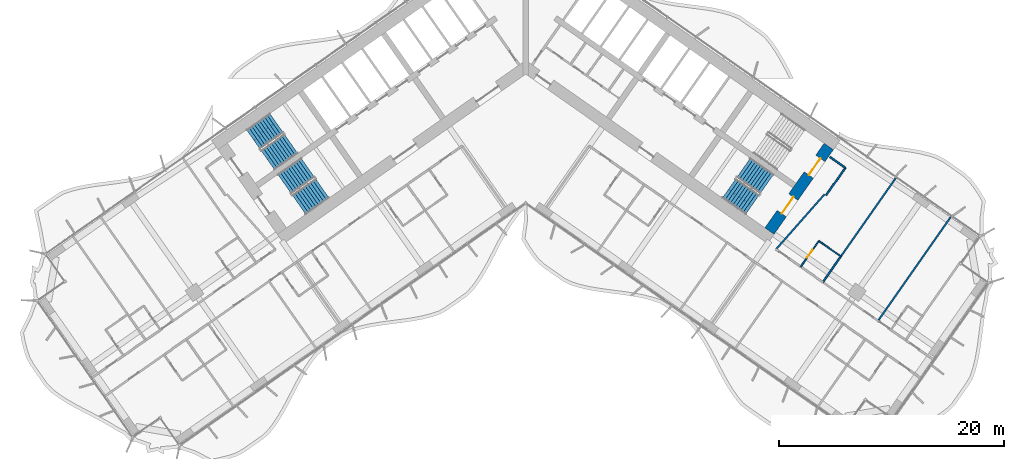
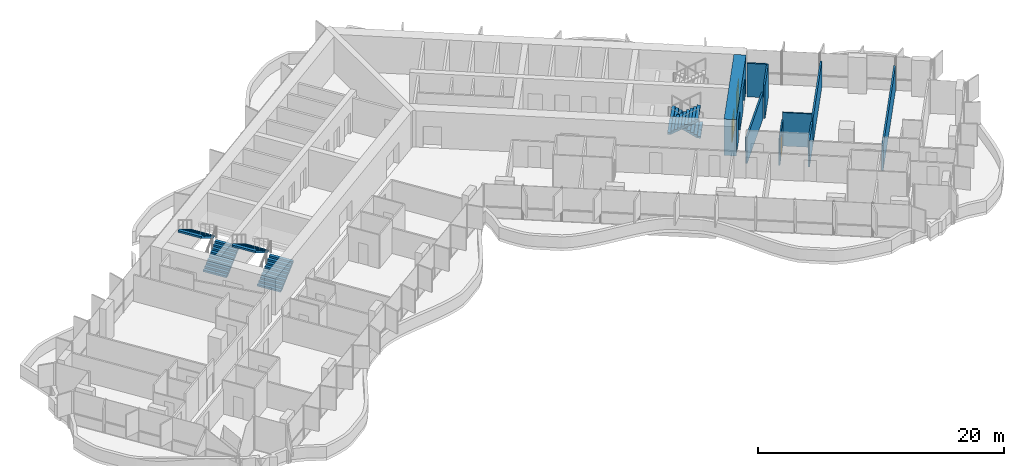
# One storey, part 16 of 23: 9 walls, 6 stair flights, 3 doors, 3 openings, 3 elements without a shape of their own.
"""IFC4 building model written with IfcOpenShell, lengths in metres."""

from ifc_helpers import new_model, si_unit, direction, frame, frame_2d, origin, place, context, subcontext, project, spatial, polyline, rectangle, outline, extrude, material, layer, layer_set, type_object, element, fill, aggregate, save


model = new_model("IFC4")

# Units and contexts
model_context = context("Model", 3, precision=1e-05, world=origin(), true_north=direction((0.0, 1.0)))
body_context = subcontext(model_context, "Body", "Model", "MODEL_VIEW")
ifc_project = project(units=[si_unit("LENGTHUNIT", "METRE"), si_unit("AREAUNIT", "SQUARE_METRE"), si_unit("VOLUMEUNIT", "CUBIC_METRE"), si_unit("PLANEANGLEUNIT", "RADIAN"), si_unit("MASSUNIT", "GRAM", prefix="KILO")], contexts=[model_context])

# Site, building, storey
site_placement = place(None, origin())
site = spatial("IfcSite", under=ifc_project, at=site_placement, CompositionType="ELEMENT")
building_placement = place(site_placement, origin())
building = spatial("IfcBuilding", under=site, at=building_placement, Name="Tel Ilan Convention Tower", CompositionType="ELEMENT")
storey_placement = place(building_placement, frame((0.0, 0.0, 83.300048828125)))
storey = spatial("IfcBuildingStorey", under=building, at=storey_placement, Name="L16", CompositionType="ELEMENT", Elevation=83.300048828125)

# Wall, openings, doors
ifc_material_1 = material(Name="Concrete C60/75", Category="concrete")
ifc_layer_1 = layer(ifc_material_1, 1.0)
ifc_layer_set_1 = layer_set([ifc_layer_1], Name="Core Shear Wall 1000 mm C60/75")
wall_type_1 = type_object("IfcWallType", Name="Core Shear Wall 1000 mm C60/75", PredefinedType="SHEAR", material=ifc_layer_set_1)
wall_1_placement = place(storey_placement, frame((21.70751953125, -15.19970703125, 0.0), z_axis=(0.0, 0.0, 1.0), x_axis=(0.573576324356, 0.819152122709, 0.0)))
wall_1 = element("IfcWall", 1, at=wall_1_placement, inside=storey, type_object=wall_type_1, Name="L16 core wall E-end", PredefinedType="SHEAR", context=body_context, shape_type="SweptSolid", body=[
    extrude(outline(polyline([(9.199951171875, 0.5), (0.0, 0.5), (0.0, -0.5), (9.199951171875, -0.5), (9.199951171875, 0.5)])), origin(), (0.0, 0.0, 1.0), 3.599853515625),
])
opening_1_placement = place(wall_1_placement, frame((6.10009765625, 0.0, 0.0)))
opening_1 = element("IfcOpeningElement", 2, at=opening_1_placement, cuts=wall_1, Name="Opening SD1503", PredefinedType="OPENING", context=body_context, shape_type="SweptSolid", body=[
    extrude(rectangle(XDim=1.800048828125, YDim=2.10009765625, at=frame_2d((0.89990234375, 1.050048828125))), frame((0.0, 0.510009765625, 0.0), z_axis=(0.0, -1.0, 0.0), x_axis=(1.0, 0.0, 0.0)), (0.0, 0.0, 1.0), 1.02001953125),
])
opening_2_placement = place(wall_1_placement, frame((1.89990234375, 0.0, 0.0)))
opening_2 = element("IfcOpeningElement", 3, at=opening_2_placement, cuts=wall_1, Name="Opening SD1504", PredefinedType="OPENING", context=body_context, shape_type="SweptSolid", body=[
    extrude(rectangle(XDim=1.800048828125, YDim=2.10009765625, at=frame_2d((0.89990234375, 1.050048828125))), frame((0.0, 0.510009765625, 0.0), z_axis=(0.0, -1.0, 0.0), x_axis=(1.0, 0.0, 0.0)), (0.0, 0.0, 1.0), 1.02001953125),
])
ifc_material_2 = material(Name="Galvanised Steel Door Leaf", Category="steel")
door_type_1 = type_object("IfcDoorType", Name="Stair Fire Door 1800 x 2100 FD60S", OperationType="NOTDEFINED", PredefinedType="DOOR", material=ifc_material_2)
door_1_placement = place(opening_1_placement, origin())
door_1 = element("IfcDoor", 4, at=door_1_placement, inside=storey, type_object=door_type_1, Name="Stair S3 door", OperationType="DOUBLE_DOOR_SINGLE_SWING", OverallHeight=2.10009765625, OverallWidth=1.800048828125, PredefinedType="DOOR", context=body_context, shape_type="SweptSolid", body=[
    extrude(rectangle(XDim=1.800048828125, YDim=2.10009765625, at=frame_2d((0.89990234375, 1.050048828125))), frame((0.0, 0.02490234375, 0.0), z_axis=(0.0, -1.0, 0.0), x_axis=(1.0, 0.0, 0.0)), (0.0, 0.0, 1.0), 0.050048828125),
])
fill(opening_1, door_1)
door_2_placement = place(opening_2_placement, origin())
door_2 = element("IfcDoor", 5, at=door_2_placement, inside=storey, type_object=door_type_1, Name="Stair S4 door", OperationType="DOUBLE_DOOR_SINGLE_SWING", OverallHeight=2.10009765625, OverallWidth=1.800048828125, PredefinedType="DOOR", context=body_context, shape_type="SweptSolid", body=[
    extrude(rectangle(XDim=1.800048828125, YDim=2.10009765625, at=frame_2d((0.89990234375, 1.050048828125))), frame((0.0, 0.02490234375, 0.0), z_axis=(0.0, -1.0, 0.0), x_axis=(1.0, 0.0, 0.0)), (0.0, 0.0, 1.0), 0.050048828125),
])
fill(opening_2, door_2)

# Walls
ifc_material_3 = material(Name="Plasterboard on Steel Studs", Category="steel")
ifc_layer_2 = layer(ifc_material_3, 0.14990234375)
ifc_layer_set_2 = layer_set([ifc_layer_2], Name="Fire-rated Partition 150 EI 60")
wall_type_2 = type_object("IfcWallType", Name="Fire-rated Partition 150 EI 60", PredefinedType="PARTITIONING", material=ifc_layer_set_2)
wall_2_placement = place(storey_placement, frame((32.93994140625, -10.49072265625, 0.0), z_axis=(0.0, 0.0, 1.0), x_axis=(-0.573593433868, -0.819140142237, 0.0)))
element("IfcWall", 6, at=wall_2_placement, inside=storey, type_object=wall_type_2, Name="Partition 038", PredefinedType="PARTITIONING", context=body_context, shape_type="SweptSolid", body=[
    extrude(rectangle(XDim=8.4990234375, YDim=0.14990234375, at=frame_2d((4.24951171875, 0.0))), origin(), (0.0, 0.0, 1.0), 2.599853515625),
])
wall_3_placement = place(storey_placement, frame((22.285400390625, -16.8251953125, 0.0), z_axis=(0.0, 0.0, 1.0), x_axis=(0.661551268245, 0.749899939647, 0.0)))
element("IfcWall", 7, at=wall_3_placement, inside=storey, type_object=wall_type_2, Name="Partition 039", PredefinedType="PARTITIONING", context=body_context, shape_type="SweptSolid", body=[
    extrude(rectangle(XDim=6.541015625, YDim=0.14990234375, at=frame_2d((3.2705078125, 0.0))), origin(), (0.0, 0.0, 1.0), 2.599853515625),
])
wall_4_placement = place(storey_placement, frame((26.74609375, -12.013671875, 0.0), z_axis=(0.0, 0.0, 1.0), x_axis=(0.573560650686, 0.819163097304, 0.0)))
element("IfcWall", 8, at=wall_4_placement, inside=storey, type_object=wall_type_2, Name="Partition 040", PredefinedType="PARTITIONING", context=body_context, shape_type="SweptSolid", body=[
    extrude(rectangle(XDim=3.0, YDim=0.14990234375, at=frame_2d((1.5, 0.0))), origin(), (0.0, 0.0, 1.0), 3.320068359375),
])
wall_5_placement = place(storey_placement, frame((28.466796875, -9.55615234375, 0.0), z_axis=(0.0, 0.0, 1.0), x_axis=(-0.819109000826, 0.573637903879, 0.0)))
element("IfcWall", 9, at=wall_5_placement, inside=storey, type_object=wall_type_2, Name="Partition 041", PredefinedType="PARTITIONING", context=body_context, shape_type="SweptSolid", body=[
    extrude(rectangle(XDim=1.679931640625, YDim=0.14990234375, at=frame_2d((0.83984375, 0.0))), origin(), (0.0, 0.0, 1.0), 3.320068359375),
])
wall_6_placement = place(storey_placement, frame((28.064453125, -17.45361328125, 0.0), z_axis=(0.0, 0.0, 1.0), x_axis=(-0.573550118428, -0.819170471667, 0.0)))
element("IfcWall", 10, at=wall_6_placement, inside=storey, type_object=wall_type_2, Name="Partition 042", PredefinedType="PARTITIONING", context=body_context, shape_type="SweptSolid", body=[
    extrude(rectangle(XDim=2.800048828125, YDim=0.14990234375, at=frame_2d((1.39990234375, 0.0))), origin(), (0.0, 0.0, 1.0), 2.599853515625),
])
wall_7_placement = place(storey_placement, frame((37.854736328125, -13.93212890625, 0.0), z_axis=(0.0, 0.0, 1.0), x_axis=(-0.573571089604, -0.819155788095, 0.0)))
element("IfcWall", 11, at=wall_7_placement, inside=storey, type_object=wall_type_2, Name="Partition 043", PredefinedType="PARTITIONING", context=body_context, shape_type="SweptSolid", body=[
    extrude(rectangle(XDim=11.300048828125, YDim=0.14990234375, at=frame_2d((5.64990234375, 0.0))), origin(), (0.0, 0.0, 1.0), 2.5),
])

# Wall, opening, door
ifc_material_4 = material(Name="Plasterboard on Steel Studs", Category="steel")
ifc_layer_3 = layer(ifc_material_4, 0.1201171875)
ifc_layer_set_3 = layer_set([ifc_layer_3], Name="Moisture-resistant Partition 120")
wall_type_3 = type_object("IfcWallType", Name="Moisture-resistant Partition 120", PredefinedType="PARTITIONING", material=ifc_layer_set_3)
wall_8_placement = place(storey_placement, frame((26.09765625, -16.076416015625, 0.0), z_axis=(0.0, 0.0, 1.0), x_axis=(-0.573550118428, -0.819170471667, 0.0)))
wall_8 = element("IfcWall", 12, at=wall_8_placement, inside=storey, type_object=wall_type_3, Name="Partition 036", PredefinedType="PARTITIONING", context=body_context, shape_type="SweptSolid", body=[
    extrude(rectangle(XDim=2.800048828125, YDim=0.1201171875, at=frame_2d((1.39990234375, 0.0))), origin(), (0.0, 0.0, 1.0), 2.599853515625),
])
opening_3_placement = place(wall_8_placement, frame((0.97509765625, 0.0, 0.0)))
opening_3 = element("IfcOpeningElement", 13, at=opening_3_placement, cuts=wall_8, Name="Opening L15-030", PredefinedType="OPENING", context=body_context, shape_type="SweptSolid", body=[
    extrude(rectangle(XDim=0.85009765625, YDim=2.050048828125, at=frame_2d((0.425048828125, 1.02490234375))), frame((0.0, 0.070068359375, 0.0), z_axis=(0.0, -1.0, 0.0), x_axis=(1.0, 0.0, 0.0)), (0.0, 0.0, 1.0), 0.14013671875),
])
ifc_material_5 = material(Name="Timber Door Leaf in Steel Frame", Category="steel")
door_type_2 = type_object("IfcDoorType", Name="Bathroom Timber Door 850x2050", OperationType="NOTDEFINED", PredefinedType="DOOR", material=ifc_material_5)
door_3_placement = place(opening_3_placement, origin())
door_3 = element("IfcDoor", 14, at=door_3_placement, inside=storey, type_object=door_type_2, Name="Door L15-030", OperationType="SINGLE_SWING_RIGHT", OverallHeight=2.050048828125, OverallWidth=0.85009765625, PredefinedType="DOOR", context=body_context, shape_type="SweptSolid", body=[
    extrude(rectangle(XDim=0.85009765625, YDim=2.050048828125, at=frame_2d((0.425048828125, 1.02490234375))), frame((0.0, 0.02490234375, 0.0), z_axis=(0.0, -1.0, 0.0), x_axis=(1.0, 0.0, 0.0)), (0.0, 0.0, 1.0), 0.050048828125),
])
fill(opening_3, door_3)

# Wall
wall_9_placement = place(storey_placement, frame((28.06494140625, -17.45263671875, 0.0), z_axis=(0.0, 0.0, 1.0), x_axis=(-0.819155442668, 0.573571582932, 0.0)))
element("IfcWall", 15, at=wall_9_placement, inside=storey, type_object=wall_type_3, Name="Partition 037", PredefinedType="PARTITIONING", context=body_context, shape_type="SweptSolid", body=[
    extrude(rectangle(XDim=2.39990234375, YDim=0.1201171875, at=frame_2d((1.199951171875, 0.0))), origin(), (0.0, 0.0, 1.0), 3.320068359375),
])

# Stair, stair flights
ifc_material_6 = material(Name="Concrete C40/50", Category="concrete")
stair_type = type_object("IfcStairType", Name="Pressurised Exit Stair 20 risers 180 mm", PredefinedType="HALF_TURN_STAIR", material=ifc_material_6)
stair_1_placement = place(storey_placement, origin())
stair_1 = element("IfcStair", 16, at=stair_1_placement, inside=storey, type_object=stair_type, Name="L16 Pressurised Stair S1", PredefinedType="HALF_TURN_STAIR")
ifc_material_7 = material(Name="Precast Concrete C40/50", Category="concrete")
stair_flight_type = type_object("IfcStairFlightType", Name="Concrete Stair Flight 2100 mm 20 risers 180 mm", PredefinedType="STRAIGHT", material=ifc_material_7)
stair_flight_1_placement = place(storey_placement, frame((-22.9619140625, -8.87548828125, 0.0), z_axis=(0.0, 0.0, 1.0), x_axis=(0.819152044289, 0.573576436351, 0.0)))
stair_flight_1 = element("IfcStairFlight", 17, at=stair_flight_1_placement, type_object=stair_flight_type, Name="S1 flight 1", NumberOfRisers=10, NumberOfTreads=9, PredefinedType="STRAIGHT", RiserHeight=0.18, TreadLength=0.28, context=body_context, shape_type="SweptSolid", body=[
    extrude(outline(polyline([(0.0, 0.0), (0.0, 0.179931640625), (0.280029296875, 0.179931640625), (0.280029296875, 0.360107421875), (0.56005859375, 0.360107421875), (0.56005859375, 0.5400390625), (0.840087890625, 0.5400390625), (0.840087890625, 0.719970703125), (1.1201171875, 0.719970703125), (1.1201171875, 0.89990234375), (1.39990234375, 0.89990234375), (1.39990234375, 1.080078125), (1.679931640625, 1.080078125), (1.679931640625, 1.260009765625), (1.9599609375, 1.260009765625), (1.9599609375, 1.43994140625), (2.239990234375, 1.43994140625), (2.239990234375, 1.6201171875), (2.52001953125, 1.6201171875), (2.52001953125, 1.800048828125), (2.52001953125, 1.44189453125), (0.277099609375, 0.0), (0.0, 0.0)])), frame((0.0, -0.100341796875, 0.0), z_axis=(0.0, -1.0, 0.0), x_axis=(1.0, 0.0, 0.0)), (0.0, 0.0, 1.0), 0.94970703125),
    extrude(outline(polyline([(0.0, 0.0), (0.0, 0.179931640625), (0.280029296875, 0.179931640625), (0.280029296875, 0.360107421875), (0.56005859375, 0.360107421875), (0.56005859375, 0.5400390625), (0.840087890625, 0.5400390625), (0.840087890625, 0.719970703125), (1.1201171875, 0.719970703125), (1.1201171875, 0.89990234375), (1.39990234375, 0.89990234375), (1.39990234375, 1.080078125), (1.679931640625, 1.080078125), (1.679931640625, 1.260009765625), (1.9599609375, 1.260009765625), (1.9599609375, 1.43994140625), (2.239990234375, 1.43994140625), (2.239990234375, 1.6201171875), (2.52001953125, 1.6201171875), (2.52001953125, 1.800048828125), (2.52001953125, 1.44189453125), (0.277099609375, 0.0), (0.0, 0.0)])), frame((0.0, -0.000244140625, 0.0), z_axis=(0.0, -1.0, 0.0), x_axis=(1.0, 0.0, 0.0)), (0.0, 0.0, 1.0), 0.099609375),
    extrude(outline(polyline([(0.0, 0.0), (0.0, 0.179931640625), (0.280029296875, 0.179931640625), (0.280029296875, 0.360107421875), (0.56005859375, 0.360107421875), (0.56005859375, 0.5400390625), (0.840087890625, 0.5400390625), (0.840087890625, 0.719970703125), (1.1201171875, 0.719970703125), (1.1201171875, 0.89990234375), (1.39990234375, 0.89990234375), (1.39990234375, 1.080078125), (1.679931640625, 1.080078125), (1.679931640625, 1.260009765625), (1.9599609375, 1.260009765625), (1.9599609375, 1.43994140625), (2.239990234375, 1.43994140625), (2.239990234375, 1.6201171875), (2.52001953125, 1.6201171875), (2.52001953125, 1.800048828125), (2.52001953125, 1.44189453125), (0.277099609375, 0.0), (0.0, 0.0)])), frame((0.0, 0.099853515625, 0.0), z_axis=(0.0, -1.0, 0.0), x_axis=(1.0, 0.0, 0.0)), (0.0, 0.0, 1.0), 0.099609375),
    extrude(outline(polyline([(0.0, 0.0), (0.0, 0.179931640625), (0.280029296875, 0.179931640625), (0.280029296875, 0.360107421875), (0.56005859375, 0.360107421875), (0.56005859375, 0.5400390625), (0.840087890625, 0.5400390625), (0.840087890625, 0.719970703125), (1.1201171875, 0.719970703125), (1.1201171875, 0.89990234375), (1.39990234375, 0.89990234375), (1.39990234375, 1.080078125), (1.679931640625, 1.080078125), (1.679931640625, 1.260009765625), (1.9599609375, 1.260009765625), (1.9599609375, 1.43994140625), (2.239990234375, 1.43994140625), (2.239990234375, 1.6201171875), (2.52001953125, 1.6201171875), (2.52001953125, 1.800048828125), (2.52001953125, 1.44189453125), (0.277099609375, 0.0), (0.0, 0.0)])), frame((0.0, 1.050048828125, 0.0), z_axis=(0.0, -1.0, 0.0), x_axis=(1.0, 0.0, 0.0)), (0.0, 0.0, 1.0), 0.94970703125),
])
stair_flight_2_placement = place(storey_placement, frame((-22.188232421875, -5.5869140625, 1.800048828125), z_axis=(0.0, 0.0, 1.0), x_axis=(-0.819152044289, -0.573576436351, 0.0)))
stair_flight_2 = element("IfcStairFlight", 18, at=stair_flight_2_placement, type_object=stair_flight_type, Name="S1 flight 2", NumberOfRisers=10, NumberOfTreads=9, PredefinedType="STRAIGHT", RiserHeight=0.18, TreadLength=0.28, context=body_context, shape_type="SweptSolid", body=[
    extrude(outline(polyline([(0.0, 0.0), (0.0, 0.179931640625), (0.280029296875, 0.179931640625), (0.280029296875, 0.360107421875), (0.56005859375, 0.360107421875), (0.56005859375, 0.5400390625), (0.840087890625, 0.5400390625), (0.840087890625, 0.719970703125), (1.1201171875, 0.719970703125), (1.1201171875, 0.89990234375), (1.39990234375, 0.89990234375), (1.39990234375, 1.080078125), (1.679931640625, 1.080078125), (1.679931640625, 1.260009765625), (1.9599609375, 1.260009765625), (1.9599609375, 1.43994140625), (2.239990234375, 1.43994140625), (2.239990234375, 1.6201171875), (2.52001953125, 1.6201171875), (2.52001953125, 1.800048828125), (2.52001953125, 1.44189453125), (0.277099609375, 0.0), (0.0, 0.0)])), frame((0.0, -0.100341796875, 0.0), z_axis=(0.0, -1.0, 0.0), x_axis=(1.0, 0.0, 0.0)), (0.0, 0.0, 1.0), 0.94970703125),
    extrude(outline(polyline([(0.0, 0.0), (0.0, 0.179931640625), (0.280029296875, 0.179931640625), (0.280029296875, 0.360107421875), (0.56005859375, 0.360107421875), (0.56005859375, 0.5400390625), (0.840087890625, 0.5400390625), (0.840087890625, 0.719970703125), (1.1201171875, 0.719970703125), (1.1201171875, 0.89990234375), (1.39990234375, 0.89990234375), (1.39990234375, 1.080078125), (1.679931640625, 1.080078125), (1.679931640625, 1.260009765625), (1.9599609375, 1.260009765625), (1.9599609375, 1.43994140625), (2.239990234375, 1.43994140625), (2.239990234375, 1.6201171875), (2.52001953125, 1.6201171875), (2.52001953125, 1.800048828125), (2.52001953125, 1.44189453125), (0.277099609375, 0.0), (0.0, 0.0)])), frame((0.0, -0.000244140625, 0.0), z_axis=(0.0, -1.0, 0.0), x_axis=(1.0, 0.0, 0.0)), (0.0, 0.0, 1.0), 0.099609375),
    extrude(outline(polyline([(0.0, 0.0), (0.0, 0.179931640625), (0.280029296875, 0.179931640625), (0.280029296875, 0.360107421875), (0.56005859375, 0.360107421875), (0.56005859375, 0.5400390625), (0.840087890625, 0.5400390625), (0.840087890625, 0.719970703125), (1.1201171875, 0.719970703125), (1.1201171875, 0.89990234375), (1.39990234375, 0.89990234375), (1.39990234375, 1.080078125), (1.679931640625, 1.080078125), (1.679931640625, 1.260009765625), (1.9599609375, 1.260009765625), (1.9599609375, 1.43994140625), (2.239990234375, 1.43994140625), (2.239990234375, 1.6201171875), (2.52001953125, 1.6201171875), (2.52001953125, 1.800048828125), (2.52001953125, 1.44189453125), (0.277099609375, 0.0), (0.0, 0.0)])), frame((0.0, 0.099853515625, 0.0), z_axis=(0.0, -1.0, 0.0), x_axis=(1.0, 0.0, 0.0)), (0.0, 0.0, 1.0), 0.099609375),
    extrude(outline(polyline([(0.0, 0.0), (0.0, 0.179931640625), (0.280029296875, 0.179931640625), (0.280029296875, 0.360107421875), (0.56005859375, 0.360107421875), (0.56005859375, 0.5400390625), (0.840087890625, 0.5400390625), (0.840087890625, 0.719970703125), (1.1201171875, 0.719970703125), (1.1201171875, 0.89990234375), (1.39990234375, 0.89990234375), (1.39990234375, 1.080078125), (1.679931640625, 1.080078125), (1.679931640625, 1.260009765625), (1.9599609375, 1.260009765625), (1.9599609375, 1.43994140625), (2.239990234375, 1.43994140625), (2.239990234375, 1.6201171875), (2.52001953125, 1.6201171875), (2.52001953125, 1.800048828125), (2.52001953125, 1.44189453125), (0.277099609375, 0.0), (0.0, 0.0)])), frame((0.0, 1.050048828125, 0.0), z_axis=(0.0, -1.0, 0.0), x_axis=(1.0, 0.0, 0.0)), (0.0, 0.0, 1.0), 0.94970703125),
])
aggregate(stair_1, [stair_flight_1, stair_flight_2])

stair_2_placement = place(storey_placement, origin())
stair_2 = element("IfcStair", 19, at=stair_2_placement, inside=storey, type_object=stair_type, Name="L16 Pressurised Stair S2", PredefinedType="HALF_TURN_STAIR")
stair_flight_3_placement = place(storey_placement, frame((-20.179931640625, -12.848388671875, 0.0), z_axis=(0.0, 0.0, 1.0), x_axis=(0.819152044289, 0.573576436351, 0.0)))
stair_flight_3 = element("IfcStairFlight", 20, at=stair_flight_3_placement, type_object=stair_flight_type, Name="S2 flight 1", NumberOfRisers=10, NumberOfTreads=9, PredefinedType="STRAIGHT", RiserHeight=0.18, TreadLength=0.28, context=body_context, shape_type="SweptSolid", body=[
    extrude(outline(polyline([(0.0, 0.0), (0.0, 0.179931640625), (0.280029296875, 0.179931640625), (0.280029296875, 0.360107421875), (0.56005859375, 0.360107421875), (0.56005859375, 0.5400390625), (0.840087890625, 0.5400390625), (0.840087890625, 0.719970703125), (1.1201171875, 0.719970703125), (1.1201171875, 0.89990234375), (1.39990234375, 0.89990234375), (1.39990234375, 1.080078125), (1.679931640625, 1.080078125), (1.679931640625, 1.260009765625), (1.9599609375, 1.260009765625), (1.9599609375, 1.43994140625), (2.239990234375, 1.43994140625), (2.239990234375, 1.6201171875), (2.52001953125, 1.6201171875), (2.52001953125, 1.800048828125), (2.52001953125, 1.44189453125), (0.277099609375, 0.0), (0.0, 0.0)])), frame((0.0, -0.100341796875, 0.0), z_axis=(0.0, -1.0, 0.0), x_axis=(1.0, 0.0, 0.0)), (0.0, 0.0, 1.0), 0.94970703125),
    extrude(outline(polyline([(0.0, 0.0), (0.0, 0.179931640625), (0.280029296875, 0.179931640625), (0.280029296875, 0.360107421875), (0.56005859375, 0.360107421875), (0.56005859375, 0.5400390625), (0.840087890625, 0.5400390625), (0.840087890625, 0.719970703125), (1.1201171875, 0.719970703125), (1.1201171875, 0.89990234375), (1.39990234375, 0.89990234375), (1.39990234375, 1.080078125), (1.679931640625, 1.080078125), (1.679931640625, 1.260009765625), (1.9599609375, 1.260009765625), (1.9599609375, 1.43994140625), (2.239990234375, 1.43994140625), (2.239990234375, 1.6201171875), (2.52001953125, 1.6201171875), (2.52001953125, 1.800048828125), (2.52001953125, 1.44189453125), (0.277099609375, 0.0), (0.0, 0.0)])), frame((0.0, -0.000244140625, 0.0), z_axis=(0.0, -1.0, 0.0), x_axis=(1.0, 0.0, 0.0)), (0.0, 0.0, 1.0), 0.099609375),
    extrude(outline(polyline([(0.0, 0.0), (0.0, 0.179931640625), (0.280029296875, 0.179931640625), (0.280029296875, 0.360107421875), (0.56005859375, 0.360107421875), (0.56005859375, 0.5400390625), (0.840087890625, 0.5400390625), (0.840087890625, 0.719970703125), (1.1201171875, 0.719970703125), (1.1201171875, 0.89990234375), (1.39990234375, 0.89990234375), (1.39990234375, 1.080078125), (1.679931640625, 1.080078125), (1.679931640625, 1.260009765625), (1.9599609375, 1.260009765625), (1.9599609375, 1.43994140625), (2.239990234375, 1.43994140625), (2.239990234375, 1.6201171875), (2.52001953125, 1.6201171875), (2.52001953125, 1.800048828125), (2.52001953125, 1.44189453125), (0.277099609375, 0.0), (0.0, 0.0)])), frame((0.0, 0.099853515625, 0.0), z_axis=(0.0, -1.0, 0.0), x_axis=(1.0, 0.0, 0.0)), (0.0, 0.0, 1.0), 0.099609375),
    extrude(outline(polyline([(0.0, 0.0), (0.0, 0.179931640625), (0.280029296875, 0.179931640625), (0.280029296875, 0.360107421875), (0.56005859375, 0.360107421875), (0.56005859375, 0.5400390625), (0.840087890625, 0.5400390625), (0.840087890625, 0.719970703125), (1.1201171875, 0.719970703125), (1.1201171875, 0.89990234375), (1.39990234375, 0.89990234375), (1.39990234375, 1.080078125), (1.679931640625, 1.080078125), (1.679931640625, 1.260009765625), (1.9599609375, 1.260009765625), (1.9599609375, 1.43994140625), (2.239990234375, 1.43994140625), (2.239990234375, 1.6201171875), (2.52001953125, 1.6201171875), (2.52001953125, 1.800048828125), (2.52001953125, 1.44189453125), (0.277099609375, 0.0), (0.0, 0.0)])), frame((0.0, 1.050048828125, 0.0), z_axis=(0.0, -1.0, 0.0), x_axis=(1.0, 0.0, 0.0)), (0.0, 0.0, 1.0), 0.94970703125),
])
stair_flight_4_placement = place(storey_placement, frame((-19.40625, -9.559814453125, 1.800048828125), z_axis=(0.0, 0.0, 1.0), x_axis=(-0.819152044289, -0.573576436351, 0.0)))
stair_flight_4 = element("IfcStairFlight", 21, at=stair_flight_4_placement, type_object=stair_flight_type, Name="S2 flight 2", NumberOfRisers=10, NumberOfTreads=9, PredefinedType="STRAIGHT", RiserHeight=0.18, TreadLength=0.28, context=body_context, shape_type="SweptSolid", body=[
    extrude(outline(polyline([(0.0, 0.0), (0.0, 0.179931640625), (0.280029296875, 0.179931640625), (0.280029296875, 0.360107421875), (0.56005859375, 0.360107421875), (0.56005859375, 0.5400390625), (0.840087890625, 0.5400390625), (0.840087890625, 0.719970703125), (1.1201171875, 0.719970703125), (1.1201171875, 0.89990234375), (1.39990234375, 0.89990234375), (1.39990234375, 1.080078125), (1.679931640625, 1.080078125), (1.679931640625, 1.260009765625), (1.9599609375, 1.260009765625), (1.9599609375, 1.43994140625), (2.239990234375, 1.43994140625), (2.239990234375, 1.6201171875), (2.52001953125, 1.6201171875), (2.52001953125, 1.800048828125), (2.52001953125, 1.44189453125), (0.277099609375, 0.0), (0.0, 0.0)])), frame((0.0, -0.100341796875, 0.0), z_axis=(0.0, -1.0, 0.0), x_axis=(1.0, 0.0, 0.0)), (0.0, 0.0, 1.0), 0.94970703125),
    extrude(outline(polyline([(0.0, 0.0), (0.0, 0.179931640625), (0.280029296875, 0.179931640625), (0.280029296875, 0.360107421875), (0.56005859375, 0.360107421875), (0.56005859375, 0.5400390625), (0.840087890625, 0.5400390625), (0.840087890625, 0.719970703125), (1.1201171875, 0.719970703125), (1.1201171875, 0.89990234375), (1.39990234375, 0.89990234375), (1.39990234375, 1.080078125), (1.679931640625, 1.080078125), (1.679931640625, 1.260009765625), (1.9599609375, 1.260009765625), (1.9599609375, 1.43994140625), (2.239990234375, 1.43994140625), (2.239990234375, 1.6201171875), (2.52001953125, 1.6201171875), (2.52001953125, 1.800048828125), (2.52001953125, 1.44189453125), (0.277099609375, 0.0), (0.0, 0.0)])), frame((0.0, -0.000244140625, 0.0), z_axis=(0.0, -1.0, 0.0), x_axis=(1.0, 0.0, 0.0)), (0.0, 0.0, 1.0), 0.099609375),
    extrude(outline(polyline([(0.0, 0.0), (0.0, 0.179931640625), (0.280029296875, 0.179931640625), (0.280029296875, 0.360107421875), (0.56005859375, 0.360107421875), (0.56005859375, 0.5400390625), (0.840087890625, 0.5400390625), (0.840087890625, 0.719970703125), (1.1201171875, 0.719970703125), (1.1201171875, 0.89990234375), (1.39990234375, 0.89990234375), (1.39990234375, 1.080078125), (1.679931640625, 1.080078125), (1.679931640625, 1.260009765625), (1.9599609375, 1.260009765625), (1.9599609375, 1.43994140625), (2.239990234375, 1.43994140625), (2.239990234375, 1.6201171875), (2.52001953125, 1.6201171875), (2.52001953125, 1.800048828125), (2.52001953125, 1.44189453125), (0.277099609375, 0.0), (0.0, 0.0)])), frame((0.0, 0.099853515625, 0.0), z_axis=(0.0, -1.0, 0.0), x_axis=(1.0, 0.0, 0.0)), (0.0, 0.0, 1.0), 0.099609375),
    extrude(outline(polyline([(0.0, 0.0), (0.0, 0.179931640625), (0.280029296875, 0.179931640625), (0.280029296875, 0.360107421875), (0.56005859375, 0.360107421875), (0.56005859375, 0.5400390625), (0.840087890625, 0.5400390625), (0.840087890625, 0.719970703125), (1.1201171875, 0.719970703125), (1.1201171875, 0.89990234375), (1.39990234375, 0.89990234375), (1.39990234375, 1.080078125), (1.679931640625, 1.080078125), (1.679931640625, 1.260009765625), (1.9599609375, 1.260009765625), (1.9599609375, 1.43994140625), (2.239990234375, 1.43994140625), (2.239990234375, 1.6201171875), (2.52001953125, 1.6201171875), (2.52001953125, 1.800048828125), (2.52001953125, 1.44189453125), (0.277099609375, 0.0), (0.0, 0.0)])), frame((0.0, 1.050048828125, 0.0), z_axis=(0.0, -1.0, 0.0), x_axis=(1.0, 0.0, 0.0)), (0.0, 0.0, 1.0), 0.94970703125),
])
aggregate(stair_2, [stair_flight_3, stair_flight_4])

stair_3_placement = place(storey_placement, origin())
stair_3 = element("IfcStair", 22, at=stair_3_placement, inside=storey, type_object=stair_type, Name="L16 Pressurised Stair S4", PredefinedType="HALF_TURN_STAIR")
stair_flight_5_placement = place(storey_placement, frame((21.470458984375, -11.00537109375, 0.0), z_axis=(0.0, 0.0, 1.0), x_axis=(-0.819152044289, 0.573576436351, 0.0)))
stair_flight_5 = element("IfcStairFlight", 23, at=stair_flight_5_placement, type_object=stair_flight_type, Name="S4 flight 1", NumberOfRisers=10, NumberOfTreads=9, PredefinedType="STRAIGHT", RiserHeight=0.18, TreadLength=0.28, context=body_context, shape_type="SweptSolid", body=[
    extrude(outline(polyline([(0.0, 0.0), (0.0, 0.179931640625), (0.280029296875, 0.179931640625), (0.280029296875, 0.360107421875), (0.56005859375, 0.360107421875), (0.56005859375, 0.5400390625), (0.840087890625, 0.5400390625), (0.840087890625, 0.719970703125), (1.1201171875, 0.719970703125), (1.1201171875, 0.89990234375), (1.39990234375, 0.89990234375), (1.39990234375, 1.080078125), (1.679931640625, 1.080078125), (1.679931640625, 1.260009765625), (1.9599609375, 1.260009765625), (1.9599609375, 1.43994140625), (2.239990234375, 1.43994140625), (2.239990234375, 1.6201171875), (2.52001953125, 1.6201171875), (2.52001953125, 1.800048828125), (2.52001953125, 1.44189453125), (0.277099609375, 0.0), (0.0, 0.0)])), frame((0.0, -0.100341796875, 0.0), z_axis=(0.0, -1.0, 0.0), x_axis=(1.0, 0.0, 0.0)), (0.0, 0.0, 1.0), 0.94970703125),
    extrude(outline(polyline([(0.0, 0.0), (0.0, 0.179931640625), (0.280029296875, 0.179931640625), (0.280029296875, 0.360107421875), (0.56005859375, 0.360107421875), (0.56005859375, 0.5400390625), (0.840087890625, 0.5400390625), (0.840087890625, 0.719970703125), (1.1201171875, 0.719970703125), (1.1201171875, 0.89990234375), (1.39990234375, 0.89990234375), (1.39990234375, 1.080078125), (1.679931640625, 1.080078125), (1.679931640625, 1.260009765625), (1.9599609375, 1.260009765625), (1.9599609375, 1.43994140625), (2.239990234375, 1.43994140625), (2.239990234375, 1.6201171875), (2.52001953125, 1.6201171875), (2.52001953125, 1.800048828125), (2.52001953125, 1.44189453125), (0.277099609375, 0.0), (0.0, 0.0)])), frame((0.0, -0.000244140625, 0.0), z_axis=(0.0, -1.0, 0.0), x_axis=(1.0, 0.0, 0.0)), (0.0, 0.0, 1.0), 0.099609375),
    extrude(outline(polyline([(0.0, 0.0), (0.0, 0.179931640625), (0.280029296875, 0.179931640625), (0.280029296875, 0.360107421875), (0.56005859375, 0.360107421875), (0.56005859375, 0.5400390625), (0.840087890625, 0.5400390625), (0.840087890625, 0.719970703125), (1.1201171875, 0.719970703125), (1.1201171875, 0.89990234375), (1.39990234375, 0.89990234375), (1.39990234375, 1.080078125), (1.679931640625, 1.080078125), (1.679931640625, 1.260009765625), (1.9599609375, 1.260009765625), (1.9599609375, 1.43994140625), (2.239990234375, 1.43994140625), (2.239990234375, 1.6201171875), (2.52001953125, 1.6201171875), (2.52001953125, 1.800048828125), (2.52001953125, 1.44189453125), (0.277099609375, 0.0), (0.0, 0.0)])), frame((0.0, 0.099853515625, 0.0), z_axis=(0.0, -1.0, 0.0), x_axis=(1.0, 0.0, 0.0)), (0.0, 0.0, 1.0), 0.099609375),
    extrude(outline(polyline([(0.0, 0.0), (0.0, 0.179931640625), (0.280029296875, 0.179931640625), (0.280029296875, 0.360107421875), (0.56005859375, 0.360107421875), (0.56005859375, 0.5400390625), (0.840087890625, 0.5400390625), (0.840087890625, 0.719970703125), (1.1201171875, 0.719970703125), (1.1201171875, 0.89990234375), (1.39990234375, 0.89990234375), (1.39990234375, 1.080078125), (1.679931640625, 1.080078125), (1.679931640625, 1.260009765625), (1.9599609375, 1.260009765625), (1.9599609375, 1.43994140625), (2.239990234375, 1.43994140625), (2.239990234375, 1.6201171875), (2.52001953125, 1.6201171875), (2.52001953125, 1.800048828125), (2.52001953125, 1.44189453125), (0.277099609375, 0.0), (0.0, 0.0)])), frame((0.0, 1.050048828125, 0.0), z_axis=(0.0, -1.0, 0.0), x_axis=(1.0, 0.0, 0.0)), (0.0, 0.0, 1.0), 0.94970703125),
])
stair_flight_6_placement = place(storey_placement, frame((18.11572265625, -11.403076171875, 1.800048828125), z_axis=(0.0, 0.0, 1.0), x_axis=(0.819152044289, -0.573576436351, 0.0)))
stair_flight_6 = element("IfcStairFlight", 24, at=stair_flight_6_placement, type_object=stair_flight_type, Name="S4 flight 2", NumberOfRisers=10, NumberOfTreads=9, PredefinedType="STRAIGHT", RiserHeight=0.18, TreadLength=0.28, context=body_context, shape_type="SweptSolid", body=[
    extrude(outline(polyline([(0.0, 0.0), (0.0, 0.179931640625), (0.280029296875, 0.179931640625), (0.280029296875, 0.360107421875), (0.56005859375, 0.360107421875), (0.56005859375, 0.5400390625), (0.840087890625, 0.5400390625), (0.840087890625, 0.719970703125), (1.1201171875, 0.719970703125), (1.1201171875, 0.89990234375), (1.39990234375, 0.89990234375), (1.39990234375, 1.080078125), (1.679931640625, 1.080078125), (1.679931640625, 1.260009765625), (1.9599609375, 1.260009765625), (1.9599609375, 1.43994140625), (2.239990234375, 1.43994140625), (2.239990234375, 1.6201171875), (2.52001953125, 1.6201171875), (2.52001953125, 1.800048828125), (2.52001953125, 1.44189453125), (0.277099609375, 0.0), (0.0, 0.0)])), frame((0.0, -0.100341796875, 0.0), z_axis=(0.0, -1.0, 0.0), x_axis=(1.0, 0.0, 0.0)), (0.0, 0.0, 1.0), 0.94970703125),
    extrude(outline(polyline([(0.0, 0.0), (0.0, 0.179931640625), (0.280029296875, 0.179931640625), (0.280029296875, 0.360107421875), (0.56005859375, 0.360107421875), (0.56005859375, 0.5400390625), (0.840087890625, 0.5400390625), (0.840087890625, 0.719970703125), (1.1201171875, 0.719970703125), (1.1201171875, 0.89990234375), (1.39990234375, 0.89990234375), (1.39990234375, 1.080078125), (1.679931640625, 1.080078125), (1.679931640625, 1.260009765625), (1.9599609375, 1.260009765625), (1.9599609375, 1.43994140625), (2.239990234375, 1.43994140625), (2.239990234375, 1.6201171875), (2.52001953125, 1.6201171875), (2.52001953125, 1.800048828125), (2.52001953125, 1.44189453125), (0.277099609375, 0.0), (0.0, 0.0)])), frame((0.0, -0.000244140625, 0.0), z_axis=(0.0, -1.0, 0.0), x_axis=(1.0, 0.0, 0.0)), (0.0, 0.0, 1.0), 0.099609375),
    extrude(outline(polyline([(0.0, 0.0), (0.0, 0.179931640625), (0.280029296875, 0.179931640625), (0.280029296875, 0.360107421875), (0.56005859375, 0.360107421875), (0.56005859375, 0.5400390625), (0.840087890625, 0.5400390625), (0.840087890625, 0.719970703125), (1.1201171875, 0.719970703125), (1.1201171875, 0.89990234375), (1.39990234375, 0.89990234375), (1.39990234375, 1.080078125), (1.679931640625, 1.080078125), (1.679931640625, 1.260009765625), (1.9599609375, 1.260009765625), (1.9599609375, 1.43994140625), (2.239990234375, 1.43994140625), (2.239990234375, 1.6201171875), (2.52001953125, 1.6201171875), (2.52001953125, 1.800048828125), (2.52001953125, 1.44189453125), (0.277099609375, 0.0), (0.0, 0.0)])), frame((0.0, 0.099853515625, 0.0), z_axis=(0.0, -1.0, 0.0), x_axis=(1.0, 0.0, 0.0)), (0.0, 0.0, 1.0), 0.099609375),
    extrude(outline(polyline([(0.0, 0.0), (0.0, 0.179931640625), (0.280029296875, 0.179931640625), (0.280029296875, 0.360107421875), (0.56005859375, 0.360107421875), (0.56005859375, 0.5400390625), (0.840087890625, 0.5400390625), (0.840087890625, 0.719970703125), (1.1201171875, 0.719970703125), (1.1201171875, 0.89990234375), (1.39990234375, 0.89990234375), (1.39990234375, 1.080078125), (1.679931640625, 1.080078125), (1.679931640625, 1.260009765625), (1.9599609375, 1.260009765625), (1.9599609375, 1.43994140625), (2.239990234375, 1.43994140625), (2.239990234375, 1.6201171875), (2.52001953125, 1.6201171875), (2.52001953125, 1.800048828125), (2.52001953125, 1.44189453125), (0.277099609375, 0.0), (0.0, 0.0)])), frame((0.0, 1.050048828125, 0.0), z_axis=(0.0, -1.0, 0.0), x_axis=(1.0, 0.0, 0.0)), (0.0, 0.0, 1.0), 0.94970703125),
])
aggregate(stair_3, [stair_flight_5, stair_flight_6])

save(model, "model.ifc")
